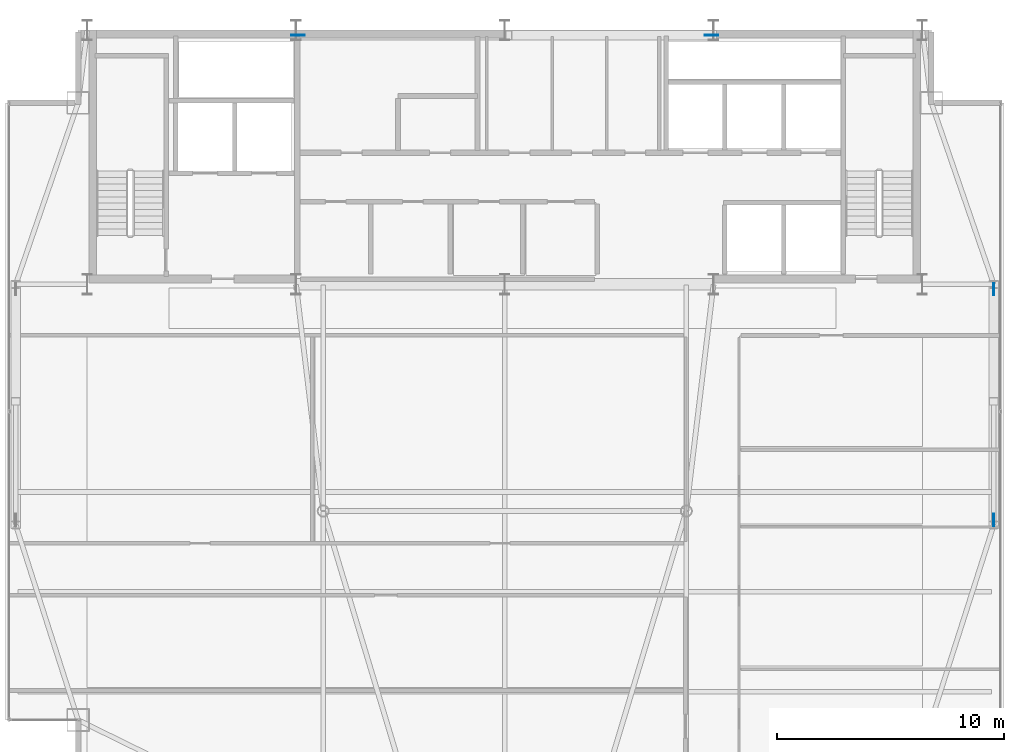
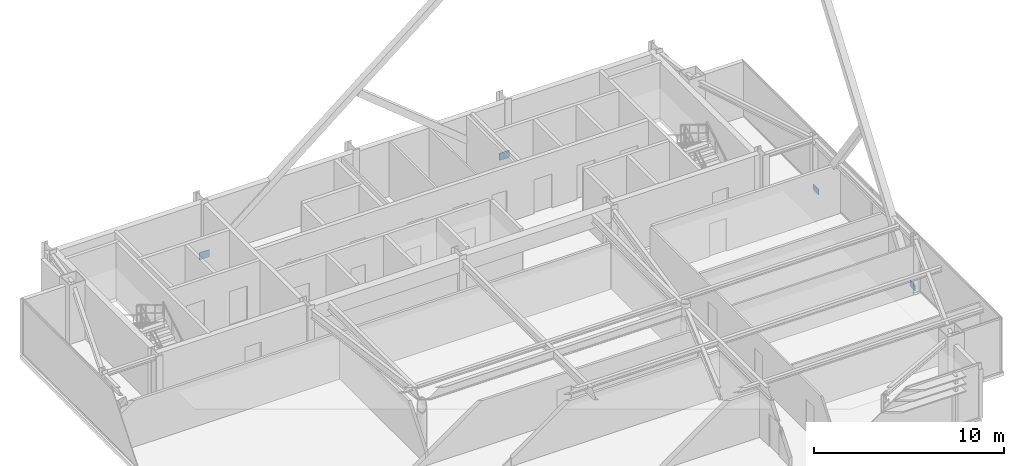
# One storey, part 20 of 25: 4 plates.
"""IFC4 building model written with IfcOpenShell, lengths in metres."""

from ifc_helpers import new_model, si_unit, direction, frame, origin, origin_2d, place, context, subcontext, project, spatial, rectangle, extrude, source, transform, mapped, material, layer, layer_set, type_object, type_shapes, element, save


model = new_model("IFC4")

# Units and contexts
model_context = context("Model", 3, precision=1e-05, world=origin(), true_north=direction((0.0, 1.0)))
body_context = subcontext(model_context, "Body", "Model", "MODEL_VIEW")
ifc_project = project(units=[si_unit("LENGTHUNIT", "METRE"), si_unit("AREAUNIT", "SQUARE_METRE"), si_unit("VOLUMEUNIT", "CUBIC_METRE"), si_unit("PLANEANGLEUNIT", "RADIAN"), si_unit("MASSUNIT", "GRAM", prefix="KILO")], contexts=[model_context])

# Site, building, storey
site_placement = place(None, origin())
site = spatial("IfcSite", under=ifc_project, at=site_placement, CompositionType="ELEMENT")
building_placement = place(site_placement, origin())
building = spatial("IfcBuilding", under=site, at=building_placement, Name="Varnel Quay Broadcast Tower", CompositionType="ELEMENT")
storey_placement = place(building_placement, frame((0.0, 0.0, 273.60009765625)))
storey = spatial("IfcBuildingStorey", under=building, at=storey_placement, Name="L68", CompositionType="ELEMENT", Elevation=273.60009765625)

# Plates
ifc_material = material(Name="Structural Steel CSA G40.21 350WT", Category="steel")
ifc_layer_1 = layer(ifc_material, 0.031982421875, Name="Structural Steel CSA G40.21 350WT")
ifc_layer_set_1 = layer_set([ifc_layer_1], Name="Structural Steel CSA G40.21 350WT")
plate_type_1 = type_object("IfcPlateType", Name="Plate_EndCap", PredefinedType="USERDEFINED", material=ifc_layer_set_1)
shared_shape_1 = source(origin(), body_context, "Body", "SweptSolid", [
    extrude(rectangle(XDim=0.5400390625, YDim=0.031982421875, at=origin_2d()), origin(), (0.0, 0.0, 1.0), 0.3798828125),
])
type_shapes(plate_type_1, [shared_shape_1])
for number, where, z_axis, x_axis, name in (
    (1, (55.550048828125, 25.22021484375, 0.1396484375), (0.0, 0.0, 1.0), (0.0, 1.0, 0.0), "Zone 5 Mega-Brace E-FT2 Diag A End Connection Plate P0"),
    (2, (55.550048828125, 35.3798828125, 0.1396484375), (0.0, 0.0, 1.0), (0.0, 1.0, 0.0), "Zone 5 Mega-Brace E-FT2 Diag B1 End Connection Plate P0"),
):
    element("IfcPlate", number, at=place(storey_placement, frame(where, z_axis=z_axis, x_axis=x_axis)), inside=storey, type_object=plate_type_1, Name=name, ObjectType="CAP_PLATE", PredefinedType="USERDEFINED", context=body_context, shape_type="MappedRepresentation", body=[
        mapped(shared_shape_1, transform((0.0, 0.0, 0.0), x_axis=(1.0, 0.0, 0.0), y_axis=(0.0, 1.0, 0.0), z_axis=(0.0, 0.0, 1.0), scale=1.0)),
    ])
ifc_layer_2 = layer(ifc_material, 0.0400390625, Name="Structural Steel CSA G40.21 350WT")
ifc_layer_set_2 = layer_set([ifc_layer_2], Name="Structural Steel CSA G40.21 350WT")
plate_type_2 = type_object("IfcPlateType", Name="Plate_EmbedPlate", PredefinedType="USERDEFINED", material=ifc_layer_set_2)
shared_shape_2 = source(origin(), body_context, "Body", "SweptSolid", [
    extrude(rectangle(XDim=0.60009765625, YDim=0.0400390625, at=origin_2d()), origin(), (0.0, 0.0, 1.0), 0.449951171875),
])
type_shapes(plate_type_2, [shared_shape_2])
for number, where, z_axis, x_axis, name in (
    (3, (24.893310546875, 46.580078125, -0.12939453125), (0.0, 0.0, 1.0), (1.0, 0.0, 0.0), "Zone 5 Mega-Brace N-CT2 Diag A Wall Cast-In Embed Plate P0"),
    (4, (43.106689453125, 46.580078125, -0.12939453125), (0.0, 0.0, 1.0), (1.0, 0.0, 0.0), "Zone 5 Mega-Brace N-CT2 Diag B1 Wall Cast-In Embed Plate P0"),
):
    element("IfcPlate", number, at=place(storey_placement, frame(where, z_axis=z_axis, x_axis=x_axis)), inside=storey, type_object=plate_type_2, Name=name, ObjectType="EMBED_PLATE", PredefinedType="USERDEFINED", context=body_context, shape_type="MappedRepresentation", body=[
        mapped(shared_shape_2, transform((0.0, 0.0, 0.0), x_axis=(1.0, 0.0, 0.0), y_axis=(0.0, 1.0, 0.0), z_axis=(0.0, 0.0, 1.0), scale=1.0)),
    ])

save(model, "model.ifc")
